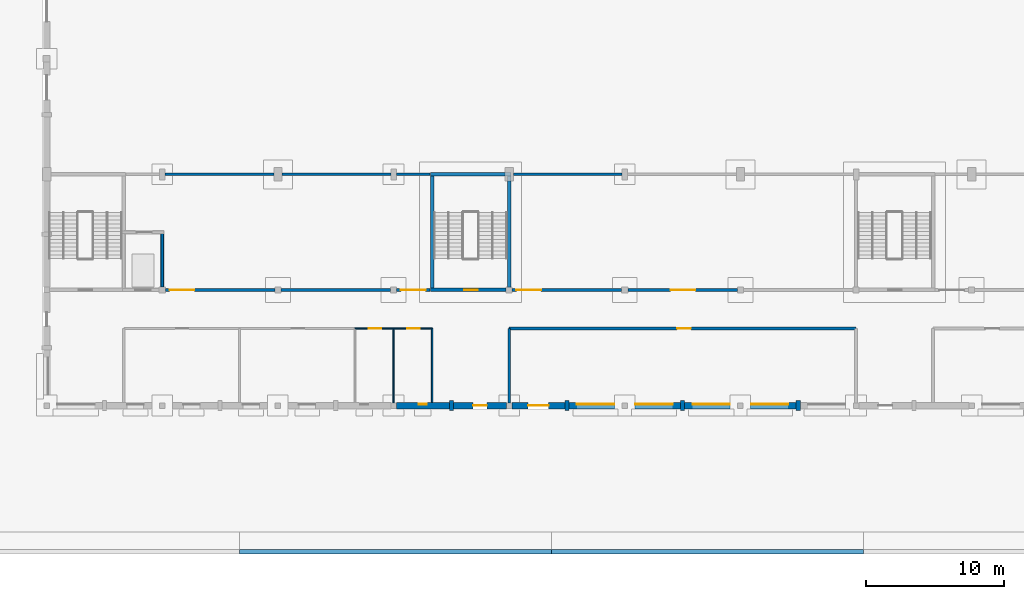
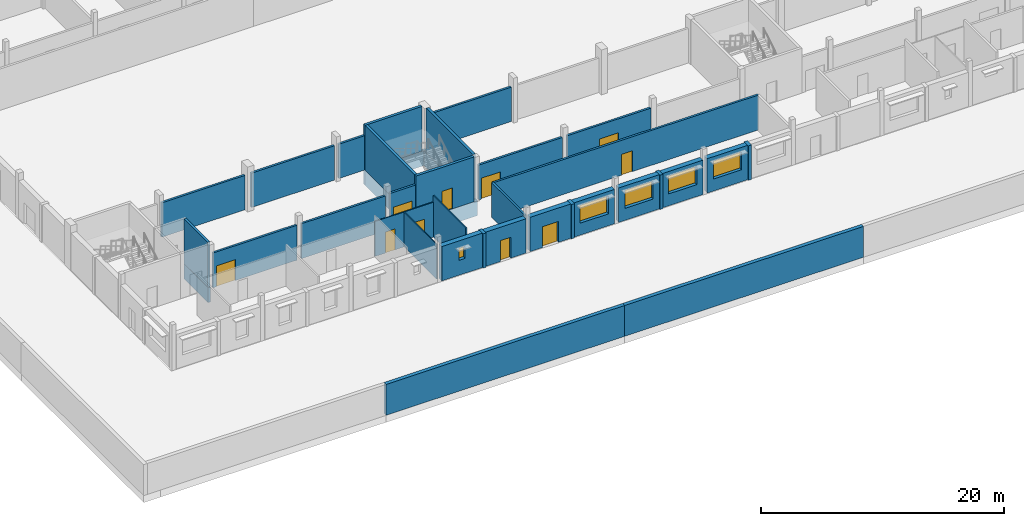
# One storey, part 17 of 36: 37 walls, 10 doors, 5 windows, 15 openings.
"""IFC4 building model written with IfcOpenShell, lengths in metres."""

from ifc_helpers import new_model, si_unit, direction, frame, frame_2d, origin, place, context, subcontext, project, spatial, rectangle, extrude, material, layer, layer_set, type_object, element, fill, save


model = new_model("IFC4")

# Units and contexts
model_context = context("Model", 3, precision=1e-05, world=origin(), true_north=direction((0.0, 1.0)))
body_context = subcontext(model_context, "Body", "Model", "MODEL_VIEW")
ifc_project = project(units=[si_unit("LENGTHUNIT", "METRE"), si_unit("AREAUNIT", "SQUARE_METRE"), si_unit("VOLUMEUNIT", "CUBIC_METRE"), si_unit("PLANEANGLEUNIT", "RADIAN"), si_unit("MASSUNIT", "GRAM", prefix="KILO")], contexts=[model_context])

# Site, building, storey
site_placement = place(None, origin())
site = spatial("IfcSite", under=ifc_project, at=site_placement, CompositionType="ELEMENT")
building_placement = place(site_placement, origin())
building = spatial("IfcBuilding", under=site, at=building_placement, Name="Fescue Hill Polytechnic", CompositionType="ELEMENT")
storey_placement = place(building_placement, origin())
storey = spatial("IfcBuildingStorey", under=building, at=storey_placement, Name="L00", CompositionType="ELEMENT", Elevation=0.0)

# Wall, opening, door
ifc_material_1 = material(Name="Concrete 40 MPa", Category="concrete")
ifc_layer_1 = layer(ifc_material_1, 0.25)
ifc_layer_set_1 = layer_set([ifc_layer_1], Name="Concrete 40 MPa")
wall_type_1 = type_object("IfcWallType", Name="Core wall 250", PredefinedType="SHEAR", material=ifc_layer_set_1)
wall_1_placement = place(storey_placement, frame((27.875, 8.39990234375, 0.0), z_axis=(0.0, 0.0, 1.0), x_axis=(1.0, 0.0, 0.0)))
wall_1 = element("IfcWall", 1, at=wall_1_placement, inside=storey, type_object=wall_type_1, Name="CW-L00-ST-V1-2-11", PredefinedType="SHEAR", context=body_context, shape_type="SweptSolid", body=[
    extrude(rectangle(XDim=5.5, YDim=0.25, at=frame_2d((2.75, 0.0))), origin(), (0.0, 0.0, 1.0), 4.5),
])
opening_1_placement = place(wall_1_placement, frame((2.449951171875, 0.0, 0.0)))
opening_1 = element("IfcOpeningElement", 2, at=opening_1_placement, cuts=wall_1, Name="Opening D0071", PredefinedType="OPENING", context=body_context, shape_type="SweptSolid", body=[
    extrude(rectangle(XDim=1.0, YDim=2.10009765625, at=frame_2d((0.5, 1.050048828125))), frame((0.0, 0.135009765625, 0.0), z_axis=(0.0, -1.0, 0.0), x_axis=(1.0, 0.0, 0.0)), (0.0, 0.0, 1.0), 0.27001953125),
])
ifc_material_2 = material(Name="Steel fire door", Category="steel")
door_type_1 = type_object("IfcDoorType", Name="Door single swing 1000x2100 stair fire rated", OperationType="NOTDEFINED", PredefinedType="DOOR", material=ifc_material_2)
door_1_placement = place(opening_1_placement, origin())
door_1 = element("IfcDoor", 3, at=door_1_placement, inside=storey, type_object=door_type_1, Name="L00 ST-V1-2 stair door", OperationType="SINGLE_SWING_LEFT", OverallHeight=2.10009765625, OverallWidth=1.0, PredefinedType="DOOR", context=body_context, shape_type="SweptSolid", body=[
    extrude(rectangle(XDim=1.0, YDim=2.10009765625, at=frame_2d((0.5, 1.050048828125))), frame((0.0, 0.02490234375, 0.0), z_axis=(0.0, -1.0, 0.0), x_axis=(1.0, 0.0, 0.0)), (0.0, 0.0, 1.0), 0.050048828125),
])
fill(opening_1, door_1)

# Walls
wall_2_placement = place(storey_placement, frame((27.875, 16.800048828125, 0.0), z_axis=(0.0, 0.0, 1.0), x_axis=(1.0, 0.0, 0.0)))
element("IfcWall", 4, at=wall_2_placement, inside=storey, type_object=wall_type_1, Name="CW-L00-ST-V1-2-21", PredefinedType="SHEAR", context=body_context, shape_type="SweptSolid", body=[
    extrude(rectangle(XDim=5.425048828125, YDim=0.25, at=frame_2d((2.71240234375, 0.0))), origin(), (0.0, 0.0, 1.0), 4.5),
])
wall_3_placement = place(storey_placement, frame((28.0, 8.52490234375, 0.0), z_axis=(0.0, 0.0, 1.0), x_axis=(0.0, 1.0, 0.0)))
element("IfcWall", 5, at=wall_3_placement, inside=storey, type_object=wall_type_1, Name="CW-L00-ST-V1-2-31", PredefinedType="SHEAR", context=body_context, shape_type="SweptSolid", body=[
    extrude(rectangle(XDim=8.150146484375, YDim=0.25, at=frame_2d((4.0751953125, 0.0))), origin(), (0.0, 0.0, 1.0), 4.5),
])
wall_4_placement = place(storey_placement, frame((33.60009765625, 8.625, 0.0), z_axis=(0.0, 0.0, 1.0), x_axis=(0.0, 1.0, 0.0)))
element("IfcWall", 6, at=wall_4_placement, inside=storey, type_object=wall_type_1, Name="CW-L00-ST-V1-2-41", PredefinedType="SHEAR", context=body_context, shape_type="SweptSolid", body=[
    extrude(rectangle(XDim=7.675048828125, YDim=0.25, at=frame_2d((3.83740234375, 0.0))), origin(), (0.0, 0.0, 1.0), 4.5),
])
for number, where, z_axis, x_axis, name in (
    (7, (27.875, 8.39990234375, -1.5), (0.0, 0.0, 1.0), (1.0, 0.0, 0.0), "FW-ST-V1-2-1"),
    (8, (27.875, 16.800048828125, -1.5), (0.0, 0.0, 1.0), (1.0, 0.0, 0.0), "FW-ST-V1-2-2"),
):
    element("IfcWall", number, at=place(storey_placement, frame(where, z_axis=z_axis, x_axis=x_axis)), inside=storey, type_object=wall_type_1, Name=name, PredefinedType="SHEAR", context=body_context, shape_type="SweptSolid", body=[
        extrude(rectangle(XDim=5.85009765625, YDim=0.25, at=frame_2d((2.925048828125, 0.0))), origin(), (0.0, 0.0, 1.0), 1.5),
    ])
for number, where, z_axis, x_axis, name in (
    (9, (28.0, 8.52490234375, -1.5), (0.0, 0.0, 1.0), (0.0, 1.0, 0.0), "FW-ST-V1-2-3"),
    (10, (33.60009765625, 8.52490234375, -1.5), (0.0, 0.0, 1.0), (0.0, 1.0, 0.0), "FW-ST-V1-2-4"),
):
    element("IfcWall", number, at=place(storey_placement, frame(where, z_axis=z_axis, x_axis=x_axis)), inside=storey, type_object=wall_type_1, Name=name, PredefinedType="SHEAR", context=body_context, shape_type="SweptSolid", body=[
        extrude(rectangle(XDim=8.150146484375, YDim=0.25, at=frame_2d((4.0751953125, 0.0))), origin(), (0.0, 0.0, 1.0), 1.5),
    ])

# Wall, opening, window
ifc_material_3 = material(Name="Clay brick masonry", Category="masonry")
ifc_layer_2 = layer(ifc_material_3, 0.47998046875)
ifc_layer_set_2 = layer_set([ifc_layer_2], Name="Clay brick masonry")
wall_type_2 = type_object("IfcWallType", Name="Exterior wall engineering brick cavity 480", PredefinedType="SOLIDWALL", material=ifc_layer_set_2)
wall_5_placement = place(storey_placement, frame((25.39990234375, 0.0, 0.0), z_axis=(0.0, 0.0, 1.0), x_axis=(1.0, 0.0, 0.0)))
wall_5 = element("IfcWall", 11, at=wall_5_placement, inside=storey, type_object=wall_type_2, Name="EW-L00-V1-29", PredefinedType="SOLIDWALL", context=body_context, shape_type="SweptSolid", body=[
    extrude(rectangle(XDim=3.85009765625, YDim=0.47998046875, at=frame_2d((1.925048828125, 0.0))), origin(), (0.0, 0.0, 1.0), 3.449951171875),
])
opening_2_placement = place(wall_5_placement, frame((1.625, 0.0, 1.5)))
opening_2 = element("IfcOpeningElement", 12, at=opening_2_placement, cuts=wall_5, Name="Opening W11", PredefinedType="OPENING", context=body_context, shape_type="SweptSolid", body=[
    extrude(rectangle(XDim=0.60009765625, YDim=1.199951171875, at=frame_2d((0.300048828125, 0.60009765625))), frame((0.0, 0.25, 0.0), z_axis=(0.0, -1.0, 0.0), x_axis=(1.0, 0.0, 0.0)), (0.0, 0.0, 1.0), 0.5),
])
ifc_material_4 = material(Name="Powder-coated aluminium and glass", Category="aluminium")
window_type_1 = type_object("IfcWindowType", Name="Window WC high-level 600x1200", PartitioningType="SINGLE_PANEL", PredefinedType="WINDOW", material=ifc_material_4)
window_1_placement = place(opening_2_placement, origin())
window_1 = element("IfcWindow", 13, at=window_1_placement, inside=storey, type_object=window_type_1, Name="WN-L00-V1-12", OverallHeight=1.199951171875, OverallWidth=0.60009765625, PartitioningType="SINGLE_PANEL", PredefinedType="WINDOW", context=body_context, shape_type="SweptSolid", body=[
    extrude(rectangle(XDim=0.60009765625, YDim=1.199951171875, at=frame_2d((0.300048828125, 0.60009765625))), frame((0.0, 0.1201171875, 0.0), z_axis=(0.0, -1.0, 0.0), x_axis=(1.0, 0.0, 0.0)), (0.0, 0.0, 1.0), 0.06005859375),
])
fill(opening_2, window_1)

# Wall, opening, door
wall_6_placement = place(storey_placement, frame((29.550048828125, 0.0, 0.0), z_axis=(0.0, 0.0, 1.0), x_axis=(1.0, 0.0, 0.0)))
wall_6 = element("IfcWall", 14, at=wall_6_placement, inside=storey, type_object=wall_type_2, Name="EW-L00-V1-30", PredefinedType="SOLIDWALL", context=body_context, shape_type="SweptSolid", body=[
    extrude(rectangle(XDim=3.849853515625, YDim=0.47998046875, at=frame_2d((1.9248046875, 0.0))), origin(), (0.0, 0.0, 1.0), 3.449951171875),
])
opening_3_placement = place(wall_6_placement, frame((1.425048828125, 0.0, 0.0)))
opening_3 = element("IfcOpeningElement", 15, at=opening_3_placement, cuts=wall_6, Name="Opening D0009", PredefinedType="OPENING", context=body_context, shape_type="SweptSolid", body=[
    extrude(rectangle(XDim=1.0, YDim=2.10009765625, at=frame_2d((0.5, 1.050048828125))), frame((0.0, 0.25, 0.0), z_axis=(0.0, -1.0, 0.0), x_axis=(1.0, 0.0, 0.0)), (0.0, 0.0, 1.0), 0.5),
])
ifc_material_5 = material(Name="Hollow metal")
door_type_2 = type_object("IfcDoorType", Name="Door exit single 1000x2100 fire rated", OperationType="SINGLE_SWING_LEFT", PredefinedType="DOOR", material=ifc_material_5)
door_2_placement = place(opening_3_placement, origin())
door_2 = element("IfcDoor", 16, at=door_2_placement, inside=storey, type_object=door_type_2, Name="Door D0009", OperationType="SINGLE_SWING_LEFT", OverallHeight=2.10009765625, OverallWidth=1.0, PredefinedType="DOOR", context=body_context, shape_type="SweptSolid", body=[
    extrude(rectangle(XDim=1.0, YDim=2.10009765625, at=frame_2d((0.5, 1.050048828125))), frame((0.0, 0.02490234375, 0.0), z_axis=(0.0, -1.0, 0.0), x_axis=(1.0, 0.0, 0.0)), (0.0, 0.0, 1.0), 0.050048828125),
])
fill(opening_3, door_2)

wall_7_placement = place(storey_placement, frame((33.800048828125, 0.0, 0.0), z_axis=(0.0, 0.0, 1.0), x_axis=(1.0, 0.0, 0.0)))
wall_7 = element("IfcWall", 17, at=wall_7_placement, inside=storey, type_object=wall_type_2, Name="EW-L00-V1-31", PredefinedType="SOLIDWALL", context=body_context, shape_type="SweptSolid", body=[
    extrude(rectangle(XDim=3.849853515625, YDim=0.47998046875, at=frame_2d((1.9248046875, 0.0))), origin(), (0.0, 0.0, 1.0), 3.449951171875),
])
opening_4_placement = place(wall_7_placement, frame((1.175048828125, 0.0, 0.0)))
opening_4 = element("IfcOpeningElement", 18, at=opening_4_placement, cuts=wall_7, Name="Opening D0010", PredefinedType="OPENING", context=body_context, shape_type="SweptSolid", body=[
    extrude(rectangle(XDim=1.5, YDim=2.10009765625, at=frame_2d((0.75, 1.050048828125))), frame((0.0, 0.25, 0.0), z_axis=(0.0, -1.0, 0.0), x_axis=(1.0, 0.0, 0.0)), (0.0, 0.0, 1.0), 0.5),
])
door_type_3 = type_object("IfcDoorType", Name="Door exit double 1500x2100 fire rated", OperationType="DOUBLE_DOOR_SINGLE_SWING", PredefinedType="DOOR", material=ifc_material_5)
door_3_placement = place(opening_4_placement, origin())
door_3 = element("IfcDoor", 19, at=door_3_placement, inside=storey, type_object=door_type_3, Name="Door D0010", OperationType="SINGLE_SWING_LEFT", OverallHeight=2.10009765625, OverallWidth=1.5, PredefinedType="DOOR", context=body_context, shape_type="SweptSolid", body=[
    extrude(rectangle(XDim=1.5, YDim=2.10009765625, at=frame_2d((0.75, 1.050048828125))), frame((0.0, 0.02490234375, 0.0), z_axis=(0.0, -1.0, 0.0), x_axis=(1.0, 0.0, 0.0)), (0.0, 0.0, 1.0), 0.050048828125),
])
fill(opening_4, door_3)

# Wall, opening, window
wall_8_placement = place(storey_placement, frame((37.949951171875, 0.0, 0.0), z_axis=(0.0, 0.0, 1.0), x_axis=(1.0, 0.0, 0.0)))
wall_8 = element("IfcWall", 20, at=wall_8_placement, inside=storey, type_object=wall_type_2, Name="EW-L00-V1-32", PredefinedType="SOLIDWALL", context=body_context, shape_type="SweptSolid", body=[
    extrude(rectangle(XDim=3.85009765625, YDim=0.47998046875, at=frame_2d((1.925048828125, 0.0))), origin(), (0.0, 0.0, 1.0), 3.449951171875),
])
opening_5_placement = place(wall_8_placement, frame((0.574951171875, 0.0, 1.199951171875)))
opening_5 = element("IfcOpeningElement", 21, at=opening_5_placement, cuts=wall_8, Name="Opening W15", PredefinedType="OPENING", context=body_context, shape_type="SweptSolid", body=[
    extrude(rectangle(XDim=2.699951171875, YDim=1.800048828125, at=frame_2d((1.35009765625, 0.89990234375))), frame((0.0, 0.25, 0.0), z_axis=(0.0, -1.0, 0.0), x_axis=(1.0, 0.0, 0.0)), (0.0, 0.0, 1.0), 0.5),
])
window_type_2 = type_object("IfcWindowType", Name="Window workshop bench-level 2700x1800", PartitioningType="TRIPLE_PANEL_VERTICAL", PredefinedType="WINDOW", material=ifc_material_4)
window_2_placement = place(opening_5_placement, origin())
window_2 = element("IfcWindow", 22, at=window_2_placement, inside=storey, type_object=window_type_2, Name="WN-L00-V1-13", OverallHeight=1.800048828125, OverallWidth=2.699951171875, PartitioningType="SINGLE_PANEL", PredefinedType="WINDOW", context=body_context, shape_type="SweptSolid", body=[
    extrude(rectangle(XDim=2.699951171875, YDim=1.800048828125, at=frame_2d((1.35009765625, 0.89990234375))), frame((0.0, 0.1201171875, 0.0), z_axis=(0.0, -1.0, 0.0), x_axis=(1.0, 0.0, 0.0)), (0.0, 0.0, 1.0), 0.06005859375),
])
fill(opening_5, window_2)

wall_9_placement = place(storey_placement, frame((42.199951171875, 0.0, 0.0), z_axis=(0.0, 0.0, 1.0), x_axis=(1.0, 0.0, 0.0)))
wall_9 = element("IfcWall", 23, at=wall_9_placement, inside=storey, type_object=wall_type_2, Name="EW-L00-V1-33", PredefinedType="SOLIDWALL", context=body_context, shape_type="SweptSolid", body=[
    extrude(rectangle(XDim=3.85009765625, YDim=0.47998046875, at=frame_2d((1.925048828125, 0.0))), origin(), (0.0, 0.0, 1.0), 3.449951171875),
])
opening_6_placement = place(wall_9_placement, frame((0.574951171875, 0.0, 1.199951171875)))
opening_6 = element("IfcOpeningElement", 24, at=opening_6_placement, cuts=wall_9, Name="Opening W15", PredefinedType="OPENING", context=body_context, shape_type="SweptSolid", body=[
    extrude(rectangle(XDim=2.699951171875, YDim=1.800048828125, at=frame_2d((1.35009765625, 0.89990234375))), frame((0.0, 0.25, 0.0), z_axis=(0.0, -1.0, 0.0), x_axis=(1.0, 0.0, 0.0)), (0.0, 0.0, 1.0), 0.5),
])
window_3_placement = place(opening_6_placement, origin())
window_3 = element("IfcWindow", 25, at=window_3_placement, inside=storey, type_object=window_type_2, Name="WN-L00-V1-14", OverallHeight=1.800048828125, OverallWidth=2.699951171875, PartitioningType="SINGLE_PANEL", PredefinedType="WINDOW", context=body_context, shape_type="SweptSolid", body=[
    extrude(rectangle(XDim=2.699951171875, YDim=1.800048828125, at=frame_2d((1.35009765625, 0.89990234375))), frame((0.0, 0.1201171875, 0.0), z_axis=(0.0, -1.0, 0.0), x_axis=(1.0, 0.0, 0.0)), (0.0, 0.0, 1.0), 0.06005859375),
])
fill(opening_6, window_3)

wall_10_placement = place(storey_placement, frame((46.35009765625, 0.0, 0.0), z_axis=(0.0, 0.0, 1.0), x_axis=(1.0, 0.0, 0.0)))
wall_10 = element("IfcWall", 26, at=wall_10_placement, inside=storey, type_object=wall_type_2, Name="EW-L00-V1-34", PredefinedType="SOLIDWALL", context=body_context, shape_type="SweptSolid", body=[
    extrude(rectangle(XDim=3.849853515625, YDim=0.47998046875, at=frame_2d((1.9248046875, 0.0))), origin(), (0.0, 0.0, 1.0), 3.449951171875),
])
opening_7_placement = place(wall_10_placement, frame((0.574951171875, 0.0, 1.199951171875)))
opening_7 = element("IfcOpeningElement", 27, at=opening_7_placement, cuts=wall_10, Name="Opening W15", PredefinedType="OPENING", context=body_context, shape_type="SweptSolid", body=[
    extrude(rectangle(XDim=2.699951171875, YDim=1.800048828125, at=frame_2d((1.35009765625, 0.89990234375))), frame((0.0, 0.25, 0.0), z_axis=(0.0, -1.0, 0.0), x_axis=(1.0, 0.0, 0.0)), (0.0, 0.0, 1.0), 0.5),
])
window_4_placement = place(opening_7_placement, origin())
window_4 = element("IfcWindow", 28, at=window_4_placement, inside=storey, type_object=window_type_2, Name="WN-L00-V1-15", OverallHeight=1.800048828125, OverallWidth=2.699951171875, PartitioningType="SINGLE_PANEL", PredefinedType="WINDOW", context=body_context, shape_type="SweptSolid", body=[
    extrude(rectangle(XDim=2.699951171875, YDim=1.800048828125, at=frame_2d((1.35009765625, 0.89990234375))), frame((0.0, 0.1201171875, 0.0), z_axis=(0.0, -1.0, 0.0), x_axis=(1.0, 0.0, 0.0)), (0.0, 0.0, 1.0), 0.06005859375),
])
fill(opening_7, window_4)

wall_11_placement = place(storey_placement, frame((50.60009765625, 0.0, 0.0), z_axis=(0.0, 0.0, 1.0), x_axis=(1.0, 0.0, 0.0)))
wall_11 = element("IfcWall", 29, at=wall_11_placement, inside=storey, type_object=wall_type_2, Name="EW-L00-V1-35", PredefinedType="SOLIDWALL", context=body_context, shape_type="SweptSolid", body=[
    extrude(rectangle(XDim=3.849853515625, YDim=0.47998046875, at=frame_2d((1.9248046875, 0.0))), origin(), (0.0, 0.0, 1.0), 3.449951171875),
])
opening_8_placement = place(wall_11_placement, frame((0.574951171875, 0.0, 1.199951171875)))
opening_8 = element("IfcOpeningElement", 30, at=opening_8_placement, cuts=wall_11, Name="Opening W15", PredefinedType="OPENING", context=body_context, shape_type="SweptSolid", body=[
    extrude(rectangle(XDim=2.699951171875, YDim=1.800048828125, at=frame_2d((1.35009765625, 0.89990234375))), frame((0.0, 0.25, 0.0), z_axis=(0.0, -1.0, 0.0), x_axis=(1.0, 0.0, 0.0)), (0.0, 0.0, 1.0), 0.5),
])
window_5_placement = place(opening_8_placement, origin())
window_5 = element("IfcWindow", 31, at=window_5_placement, inside=storey, type_object=window_type_2, Name="WN-L00-V1-16", OverallHeight=1.800048828125, OverallWidth=2.699951171875, PartitioningType="SINGLE_PANEL", PredefinedType="WINDOW", context=body_context, shape_type="SweptSolid", body=[
    extrude(rectangle(XDim=2.699951171875, YDim=1.800048828125, at=frame_2d((1.35009765625, 0.89990234375))), frame((0.0, 0.1201171875, 0.0), z_axis=(0.0, -1.0, 0.0), x_axis=(1.0, 0.0, 0.0)), (0.0, 0.0, 1.0), 0.06005859375),
])
fill(opening_8, window_5)

# Walls
ifc_layer_3 = layer(ifc_material_1, 0.699951171875)
ifc_layer_set_3 = layer_set([ifc_layer_3], Name="Concrete 40 MPa")
wall_type_3 = type_object("IfcWallType", Name="Fin wall board-marked 300x700", PredefinedType="SOLIDWALL", material=ifc_layer_set_3)
for number, where, z_axis, x_axis, name in (
    (32, (29.25, 0.0, 0.0), (0.0, 0.0, 1.0), (1.0, 0.0, 0.0), "PR-L00-V1-14"),
    (33, (37.64990234375, 0.0, 0.0), (0.0, 0.0, 1.0), (1.0, 0.0, 0.0), "PR-L00-V1-15"),
    (34, (46.050048828125, 0.0, 0.0), (0.0, 0.0, 1.0), (1.0, 0.0, 0.0), "PR-L00-V1-16"),
    (35, (54.449951171875, 0.0, 0.0), (0.0, 0.0, 1.0), (1.0, 0.0, 0.0), "PR-L00-V1-17"),
):
    element("IfcWall", number, at=place(storey_placement, frame(where, z_axis=z_axis, x_axis=x_axis)), inside=storey, type_object=wall_type_3, Name=name, PredefinedType="SOLIDWALL", context=body_context, shape_type="SweptSolid", body=[
        extrude(rectangle(XDim=0.300048828125, YDim=0.699951171875, at=frame_2d((0.14990234375, 0.0))), origin(), (0.0, 0.0, 1.0), 3.449951171875),
    ])
ifc_layer_4 = layer(ifc_material_1, 0.25)
ifc_layer_set_4 = layer_set([ifc_layer_4], Name="Concrete 40 MPa")
wall_type_4 = type_object("IfcWallType", Name="Lift pit wall 250", PredefinedType="SHEAR", material=ifc_layer_set_4)
wall_12_placement = place(storey_placement, frame((8.39990234375, 8.52490234375, -1.5), z_axis=(0.0, 0.0, 1.0), x_axis=(0.0, 1.0, 0.0)))
element("IfcWall", 36, at=wall_12_placement, inside=storey, type_object=wall_type_4, Name="PW-L00-LF-V1-1-4", PredefinedType="SHEAR", context=body_context, shape_type="SweptSolid", body=[
    extrude(rectangle(XDim=3.9501953125, YDim=0.25, at=frame_2d((1.97509765625, 0.0))), origin(), (0.0, 0.0, 1.0), 1.5),
])
ifc_layer_5 = layer(ifc_material_1, 0.199951171875)
ifc_layer_set_5 = layer_set([ifc_layer_5], Name="Concrete 40 MPa")
wall_type_5 = type_object("IfcWallType", Name="Lift shaft wall 200", PredefinedType="SHEAR", material=ifc_layer_set_5)
wall_13_placement = place(storey_placement, frame((8.39990234375, 8.625, 0.0), z_axis=(0.0, 0.0, 1.0), x_axis=(0.0, 1.0, 0.0)))
element("IfcWall", 37, at=wall_13_placement, inside=storey, type_object=wall_type_5, Name="CW-L00-LF-V1-1-41", PredefinedType="SHEAR", context=body_context, shape_type="SweptSolid", body=[
    extrude(rectangle(XDim=3.875, YDim=0.199951171875, at=frame_2d((1.9375, 0.0))), origin(), (0.0, 0.0, 1.0), 4.5),
])
ifc_material_6 = material(Name="Concrete 35 MPa", Category="concrete")
ifc_layer_6 = layer(ifc_material_6, 0.35009765625)
ifc_layer_set_6 = layer_set([ifc_layer_6], Name="Concrete 35 MPa")
wall_type_6 = type_object("IfcWallType", Name="Retaining wall 350", PredefinedType="SOLIDWALL", material=ifc_layer_set_6)
wall_14_placement = place(storey_placement, frame((14.017578125, -10.617919921875, -3.10009765625), z_axis=(0.0, 0.0, 1.0), x_axis=(1.0, 0.0, 0.0)))
element("IfcWall", 38, at=wall_14_placement, inside=storey, type_object=wall_type_6, Name="RT-PW32", PredefinedType="SOLIDWALL", context=body_context, shape_type="SweptSolid", body=[
    extrude(rectangle(XDim=22.660888671875, YDim=0.35009765625, at=frame_2d((11.33056640625, 0.0))), origin(), (0.0, 0.0, 1.0), 3.10009765625),
])
wall_15_placement = place(storey_placement, frame((36.678466796875, -10.617919921875, -3.10009765625), z_axis=(0.0, 0.0, 1.0), x_axis=(1.0, 0.0, 0.0)))
element("IfcWall", 39, at=wall_15_placement, inside=storey, type_object=wall_type_6, Name="RT-PW33", PredefinedType="SOLIDWALL", context=body_context, shape_type="SweptSolid", body=[
    extrude(rectangle(XDim=22.66064453125, YDim=0.35009765625, at=frame_2d((11.330322265625, 0.0))), origin(), (0.0, 0.0, 1.0), 3.10009765625),
])

# Wall, openings, doors
ifc_material_7 = material(Name="Gypsum board partition")
ifc_layer_7 = layer(ifc_material_7, 0.10009765625)
ifc_layer_set_7 = layer_set([ifc_layer_7], Name="Gypsum board partition")
wall_type_7 = type_object("IfcWallType", Name="WC partition 100 moisture resistant", PredefinedType="PARTITIONING", material=ifc_layer_set_7)
wall_16_placement = place(storey_placement, frame((22.39990234375, 5.60009765625, 0.0), z_axis=(0.0, 0.0, 1.0), x_axis=(1.0, 0.0, 0.0)))
wall_16 = element("IfcWall", 40, at=wall_16_placement, inside=storey, type_object=wall_type_7, Name="IW-L00-004", PredefinedType="PARTITIONING", context=body_context, shape_type="SweptSolid", body=[
    extrude(rectangle(XDim=5.60009765625, YDim=0.10009765625, at=frame_2d((2.800048828125, 0.0))), origin(), (0.0, 0.0, 1.0), 3.5),
])
opening_9_placement = place(wall_16_placement, frame((1.0, 0.0, 0.0)))
opening_9 = element("IfcOpeningElement", 41, at=opening_9_placement, cuts=wall_16, Name="Opening D0029", PredefinedType="OPENING", context=body_context, shape_type="SweptSolid", body=[
    extrude(rectangle(XDim=0.89990234375, YDim=2.10009765625, at=frame_2d((0.449951171875, 1.050048828125))), frame((0.0, 0.06005859375, 0.0), z_axis=(0.0, -1.0, 0.0), x_axis=(1.0, 0.0, 0.0)), (0.0, 0.0, 1.0), 0.1201171875),
])
opening_10_placement = place(wall_16_placement, frame((3.800048828125, 0.0, 0.0)))
opening_10 = element("IfcOpeningElement", 42, at=opening_10_placement, cuts=wall_16, Name="Opening D0030", PredefinedType="OPENING", context=body_context, shape_type="SweptSolid", body=[
    extrude(rectangle(XDim=0.89990234375, YDim=2.10009765625, at=frame_2d((0.449951171875, 1.050048828125))), frame((0.0, 0.06005859375, 0.0), z_axis=(0.0, -1.0, 0.0), x_axis=(1.0, 0.0, 0.0)), (0.0, 0.0, 1.0), 0.1201171875),
])
ifc_material_8 = material(Name="Timber", Category="wood")
door_type_4 = type_object("IfcDoorType", Name="Door single swing 900x2100 WC", OperationType="SINGLE_SWING_LEFT", PredefinedType="DOOR", material=ifc_material_8)
door_4_placement = place(opening_9_placement, origin())
door_4 = element("IfcDoor", 43, at=door_4_placement, inside=storey, type_object=door_type_4, Name="Door D0029", OperationType="SINGLE_SWING_LEFT", OverallHeight=2.10009765625, OverallWidth=0.89990234375, PredefinedType="DOOR", context=body_context, shape_type="SweptSolid", body=[
    extrude(rectangle(XDim=0.89990234375, YDim=2.10009765625, at=frame_2d((0.449951171875, 1.050048828125))), frame((0.0, 0.02490234375, 0.0), z_axis=(0.0, -1.0, 0.0), x_axis=(1.0, 0.0, 0.0)), (0.0, 0.0, 1.0), 0.050048828125),
])
fill(opening_9, door_4)
door_5_placement = place(opening_10_placement, origin())
door_5 = element("IfcDoor", 44, at=door_5_placement, inside=storey, type_object=door_type_4, Name="Door D0030", OperationType="SINGLE_SWING_RIGHT", OverallHeight=2.10009765625, OverallWidth=0.89990234375, PredefinedType="DOOR", context=body_context, shape_type="SweptSolid", body=[
    extrude(rectangle(XDim=0.89990234375, YDim=2.10009765625, at=frame_2d((0.449951171875, 1.050048828125))), frame((0.0, 0.02490234375, 0.0), z_axis=(0.0, -1.0, 0.0), x_axis=(1.0, 0.0, 0.0)), (0.0, 0.0, 1.0), 0.050048828125),
])
fill(opening_10, door_5)

# Walls
wall_17_placement = place(storey_placement, frame((25.199951171875, 0.199951171875, 0.0), z_axis=(0.0, 0.0, 1.0), x_axis=(0.0, 1.0, 0.0)))
element("IfcWall", 45, at=wall_17_placement, inside=storey, type_object=wall_type_7, Name="IW-L00-074", PredefinedType="PARTITIONING", context=body_context, shape_type="SweptSolid", body=[
    extrude(rectangle(XDim=5.400146484375, YDim=0.10009765625, at=frame_2d((2.7001953125, 0.0))), origin(), (0.0, 0.0, 1.0), 3.5),
])
wall_18_placement = place(storey_placement, frame((28.0, 0.239990234375, 0.0), z_axis=(0.0, 0.0, 1.0), x_axis=(0.0, 1.0, 0.0)))
element("IfcWall", 46, at=wall_18_placement, inside=storey, type_object=wall_type_7, Name="IW-L00-075", PredefinedType="PARTITIONING", context=body_context, shape_type="SweptSolid", body=[
    extrude(rectangle(XDim=5.360107421875, YDim=0.10009765625, at=frame_2d((2.68017578125, 0.0))), origin(), (0.0, 0.0, 1.0), 4.14990234375),
])

# Wall, opening, door
ifc_material_9 = material(Name="Concrete masonry block 15 MPa", Category="masonry")
ifc_layer_8 = layer(ifc_material_9, 0.199951171875)
ifc_layer_set_8 = layer_set([ifc_layer_8], Name="Concrete masonry block 15 MPa")
wall_type_8 = type_object("IfcWallType", Name="Workshop wall 200 block EI 60", PredefinedType="PARTITIONING", material=ifc_layer_set_8)
wall_19_placement = place(storey_placement, frame((33.60009765625, 5.60009765625, 0.0), z_axis=(0.0, 0.0, 1.0), x_axis=(1.0, 0.0, 0.0)))
wall_19 = element("IfcWall", 47, at=wall_19_placement, inside=storey, type_object=wall_type_8, Name="IW-L00-006", PredefinedType="PARTITIONING", context=body_context, shape_type="SweptSolid", body=[
    extrude(rectangle(XDim=25.199951171875, YDim=0.199951171875, at=frame_2d((12.60009765625, 0.0))), origin(), (0.0, 0.0, 1.0), 3.5),
])
opening_11_placement = place(wall_19_placement, frame((12.199951171875, 0.0, 0.0)))
opening_11 = element("IfcOpeningElement", 48, at=opening_11_placement, cuts=wall_19, Name="Opening D0031", PredefinedType="OPENING", context=body_context, shape_type="SweptSolid", body=[
    extrude(rectangle(XDim=1.0, YDim=2.10009765625, at=frame_2d((0.5, 1.050048828125))), frame((0.0, 0.10986328125, 0.0), z_axis=(0.0, -1.0, 0.0), x_axis=(1.0, 0.0, 0.0)), (0.0, 0.0, 1.0), 0.219970703125),
])
ifc_material_10 = material(Name="Steel", Category="steel")
door_type_5 = type_object("IfcDoorType", Name="Door single swing 1000x2100 FD60", OperationType="SINGLE_SWING_LEFT", PredefinedType="DOOR", material=ifc_material_10)
door_6_placement = place(opening_11_placement, origin())
door_6 = element("IfcDoor", 49, at=door_6_placement, inside=storey, type_object=door_type_5, Name="Door D0031", OperationType="SINGLE_SWING_RIGHT", OverallHeight=2.10009765625, OverallWidth=1.0, PredefinedType="DOOR", context=body_context, shape_type="SweptSolid", body=[
    extrude(rectangle(XDim=1.0, YDim=2.10009765625, at=frame_2d((0.5, 1.050048828125))), frame((0.0, 0.02490234375, 0.0), z_axis=(0.0, -1.0, 0.0), x_axis=(1.0, 0.0, 0.0)), (0.0, 0.0, 1.0), 0.050048828125),
])
fill(opening_11, door_6)

wall_20_placement = place(storey_placement, frame((8.625, 8.39990234375, 0.0), z_axis=(0.0, 0.0, 1.0), x_axis=(1.0, 0.0, 0.0)))
wall_20 = element("IfcWall", 50, at=wall_20_placement, inside=storey, type_object=wall_type_8, Name="IW-L00-012", PredefinedType="PARTITIONING", context=body_context, shape_type="SweptSolid", body=[
    extrude(rectangle(XDim=7.949951171875, YDim=0.199951171875, at=frame_2d((3.97509765625, 0.0))), origin(), (0.0, 0.0, 1.0), 3.5),
])
opening_12_placement = place(wall_20_placement, frame((0.300048828125, 0.0, 0.0)))
opening_12 = element("IfcOpeningElement", 51, at=opening_12_placement, cuts=wall_20, Name="Opening D0039", PredefinedType="OPENING", context=body_context, shape_type="SweptSolid", body=[
    extrude(rectangle(XDim=1.800048828125, YDim=2.10009765625, at=frame_2d((0.89990234375, 1.050048828125))), frame((0.0, 0.10986328125, 0.0), z_axis=(0.0, -1.0, 0.0), x_axis=(1.0, 0.0, 0.0)), (0.0, 0.0, 1.0), 0.219970703125),
])
door_type_6 = type_object("IfcDoorType", Name="Door double swing 1800x2100 FD60", OperationType="DOUBLE_DOOR_SINGLE_SWING", PredefinedType="DOOR", material=ifc_material_10)
door_7_placement = place(opening_12_placement, origin())
door_7 = element("IfcDoor", 52, at=door_7_placement, inside=storey, type_object=door_type_6, Name="Door D0039", OperationType="DOUBLE_DOOR_SINGLE_SWING", OverallHeight=2.10009765625, OverallWidth=1.800048828125, PredefinedType="DOOR", context=body_context, shape_type="SweptSolid", body=[
    extrude(rectangle(XDim=1.800048828125, YDim=2.10009765625, at=frame_2d((0.89990234375, 1.050048828125))), frame((0.0, 0.02490234375, 0.0), z_axis=(0.0, -1.0, 0.0), x_axis=(1.0, 0.0, 0.0)), (0.0, 0.0, 1.0), 0.050048828125),
])
fill(opening_12, door_7)

# Wall
wall_21_placement = place(storey_placement, frame((17.02490234375, 8.39990234375, 0.0), z_axis=(0.0, 0.0, 1.0), x_axis=(1.0, 0.0, 0.0)))
element("IfcWall", 53, at=wall_21_placement, inside=storey, type_object=wall_type_8, Name="IW-L00-013", PredefinedType="PARTITIONING", context=body_context, shape_type="SweptSolid", body=[
    extrude(rectangle(XDim=7.9501953125, YDim=0.199951171875, at=frame_2d((3.97509765625, 0.0))), origin(), (0.0, 0.0, 1.0), 3.5),
])

# Wall, opening, door
wall_22_placement = place(storey_placement, frame((25.425048828125, 8.39990234375, 0.0), z_axis=(0.0, 0.0, 1.0), x_axis=(1.0, 0.0, 0.0)))
wall_22 = element("IfcWall", 54, at=wall_22_placement, inside=storey, type_object=wall_type_8, Name="IW-L00-014", PredefinedType="PARTITIONING", context=body_context, shape_type="SweptSolid", body=[
    extrude(rectangle(XDim=2.425048828125, YDim=0.199951171875, at=frame_2d((1.21240234375, 0.0))), origin(), (0.0, 0.0, 1.0), 3.60009765625),
])
opening_13_placement = place(wall_22_placement, frame((0.300048828125, 0.0, 0.0)))
opening_13 = element("IfcOpeningElement", 55, at=opening_13_placement, cuts=wall_22, Name="Opening D0038", PredefinedType="OPENING", context=body_context, shape_type="SweptSolid", body=[
    extrude(rectangle(XDim=1.800048828125, YDim=2.10009765625, at=frame_2d((0.89990234375, 1.050048828125))), frame((0.0, 0.10986328125, 0.0), z_axis=(0.0, -1.0, 0.0), x_axis=(1.0, 0.0, 0.0)), (0.0, 0.0, 1.0), 0.219970703125),
])
door_8_placement = place(opening_13_placement, origin())
door_8 = element("IfcDoor", 56, at=door_8_placement, inside=storey, type_object=door_type_6, Name="Door D0038", OperationType="DOUBLE_DOOR_SINGLE_SWING", OverallHeight=2.10009765625, OverallWidth=1.800048828125, PredefinedType="DOOR", context=body_context, shape_type="SweptSolid", body=[
    extrude(rectangle(XDim=1.800048828125, YDim=2.10009765625, at=frame_2d((0.89990234375, 1.050048828125))), frame((0.0, 0.02490234375, 0.0), z_axis=(0.0, -1.0, 0.0), x_axis=(1.0, 0.0, 0.0)), (0.0, 0.0, 1.0), 0.050048828125),
])
fill(opening_13, door_8)

wall_23_placement = place(storey_placement, frame((33.824951171875, 8.39990234375, 0.0), z_axis=(0.0, 0.0, 1.0), x_axis=(1.0, 0.0, 0.0)))
wall_23 = element("IfcWall", 57, at=wall_23_placement, inside=storey, type_object=wall_type_8, Name="IW-L00-015", PredefinedType="PARTITIONING", context=body_context, shape_type="SweptSolid", body=[
    extrude(rectangle(XDim=7.949951171875, YDim=0.199951171875, at=frame_2d((3.97509765625, 0.0))), origin(), (0.0, 0.0, 1.0), 3.5),
])
opening_14_placement = place(wall_23_placement, frame((0.300048828125, 0.0, 0.0)))
opening_14 = element("IfcOpeningElement", 58, at=opening_14_placement, cuts=wall_23, Name="Opening D0041", PredefinedType="OPENING", context=body_context, shape_type="SweptSolid", body=[
    extrude(rectangle(XDim=1.800048828125, YDim=2.10009765625, at=frame_2d((0.89990234375, 1.050048828125))), frame((0.0, 0.10986328125, 0.0), z_axis=(0.0, -1.0, 0.0), x_axis=(1.0, 0.0, 0.0)), (0.0, 0.0, 1.0), 0.219970703125),
])
door_9_placement = place(opening_14_placement, origin())
door_9 = element("IfcDoor", 59, at=door_9_placement, inside=storey, type_object=door_type_6, Name="Door D0041", OperationType="DOUBLE_DOOR_SINGLE_SWING", OverallHeight=2.10009765625, OverallWidth=1.800048828125, PredefinedType="DOOR", context=body_context, shape_type="SweptSolid", body=[
    extrude(rectangle(XDim=1.800048828125, YDim=2.10009765625, at=frame_2d((0.89990234375, 1.050048828125))), frame((0.0, 0.02490234375, 0.0), z_axis=(0.0, -1.0, 0.0), x_axis=(1.0, 0.0, 0.0)), (0.0, 0.0, 1.0), 0.050048828125),
])
fill(opening_14, door_9)

wall_24_placement = place(storey_placement, frame((42.22509765625, 8.39990234375, 0.0), z_axis=(0.0, 0.0, 1.0), x_axis=(1.0, 0.0, 0.0)))
wall_24 = element("IfcWall", 60, at=wall_24_placement, inside=storey, type_object=wall_type_8, Name="IW-L00-016", PredefinedType="PARTITIONING", context=body_context, shape_type="SweptSolid", body=[
    extrude(rectangle(XDim=7.949951171875, YDim=0.199951171875, at=frame_2d((3.97509765625, 0.0))), origin(), (0.0, 0.0, 1.0), 3.5),
])
opening_15_placement = place(wall_24_placement, frame((3.10009765625, 0.0, 0.0)))
opening_15 = element("IfcOpeningElement", 61, at=opening_15_placement, cuts=wall_24, Name="Opening D0040", PredefinedType="OPENING", context=body_context, shape_type="SweptSolid", body=[
    extrude(rectangle(XDim=1.800048828125, YDim=2.10009765625, at=frame_2d((0.89990234375, 1.050048828125))), frame((0.0, 0.10986328125, 0.0), z_axis=(0.0, -1.0, 0.0), x_axis=(1.0, 0.0, 0.0)), (0.0, 0.0, 1.0), 0.219970703125),
])
door_10_placement = place(opening_15_placement, origin())
door_10 = element("IfcDoor", 62, at=door_10_placement, inside=storey, type_object=door_type_6, Name="Door D0040", OperationType="DOUBLE_DOOR_SINGLE_SWING", OverallHeight=2.10009765625, OverallWidth=1.800048828125, PredefinedType="DOOR", context=body_context, shape_type="SweptSolid", body=[
    extrude(rectangle(XDim=1.800048828125, YDim=2.10009765625, at=frame_2d((0.89990234375, 1.050048828125))), frame((0.0, 0.02490234375, 0.0), z_axis=(0.0, -1.0, 0.0), x_axis=(1.0, 0.0, 0.0)), (0.0, 0.0, 1.0), 0.050048828125),
])
fill(opening_15, door_10)

# Walls
for number, where, z_axis, x_axis, name in (
    (63, (8.60009765625, 16.800048828125, 0.0), (0.0, 0.0, 1.0), (1.0, 0.0, 0.0), "IW-L00-026"),
    (64, (17.10009765625, 16.800048828125, 0.0), (0.0, 0.0, 1.0), (1.0, 0.0, 0.0), "IW-L00-027"),
):
    element("IfcWall", number, at=place(storey_placement, frame(where, z_axis=z_axis, x_axis=x_axis)), inside=storey, type_object=wall_type_8, Name=name, PredefinedType="PARTITIONING", context=body_context, shape_type="SweptSolid", body=[
        extrude(rectangle(XDim=7.89990234375, YDim=0.199951171875, at=frame_2d((3.949951171875, 0.0))), origin(), (0.0, 0.0, 1.0), 3.449951171875),
    ])
wall_25_placement = place(storey_placement, frame((25.39990234375, 16.800048828125, 0.0), z_axis=(0.0, 0.0, 1.0), x_axis=(1.0, 0.0, 0.0)))
element("IfcWall", 65, at=wall_25_placement, inside=storey, type_object=wall_type_8, Name="IW-L00-028", PredefinedType="PARTITIONING", context=body_context, shape_type="SweptSolid", body=[
    extrude(rectangle(XDim=2.4501953125, YDim=0.199951171875, at=frame_2d((1.22509765625, 0.0))), origin(), (0.0, 0.0, 1.0), 3.449951171875),
])
wall_26_placement = place(storey_placement, frame((33.89990234375, 16.800048828125, 0.0), z_axis=(0.0, 0.0, 1.0), x_axis=(1.0, 0.0, 0.0)))
element("IfcWall", 66, at=wall_26_placement, inside=storey, type_object=wall_type_8, Name="IW-L00-029", PredefinedType="PARTITIONING", context=body_context, shape_type="SweptSolid", body=[
    extrude(rectangle(XDim=7.900146484375, YDim=0.199951171875, at=frame_2d((3.9501953125, 0.0))), origin(), (0.0, 0.0, 1.0), 3.449951171875),
])
wall_27_placement = place(storey_placement, frame((33.60009765625, 0.199951171875, 0.0), z_axis=(0.0, 0.0, 1.0), x_axis=(0.0, 1.0, 0.0)))
element("IfcWall", 67, at=wall_27_placement, inside=storey, type_object=wall_type_8, Name="IW-L00-076", PredefinedType="PARTITIONING", context=body_context, shape_type="SweptSolid", body=[
    extrude(rectangle(XDim=5.400146484375, YDim=0.199951171875, at=frame_2d((2.7001953125, 0.0))), origin(), (0.0, 0.0, 1.0), 3.5),
])

save(model, "model.ifc")
